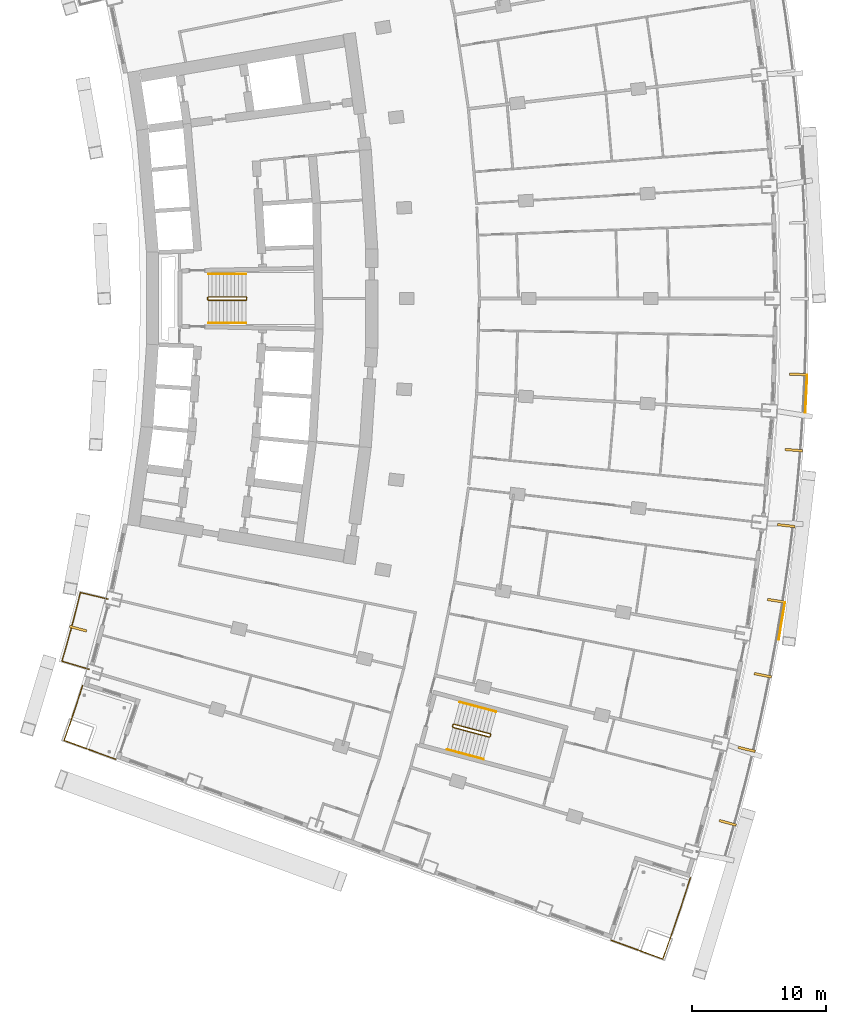
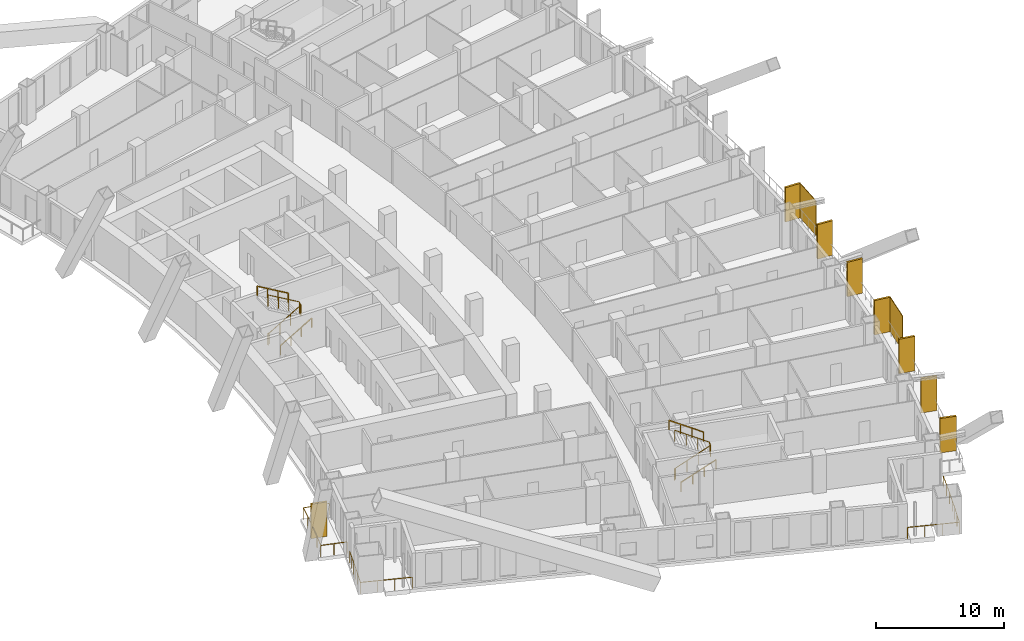
# One storey, part 23 of 25: 10 shading devices, 9 railings.
"""IFC4 building model written with IfcOpenShell, lengths in metres."""

from ifc_helpers import new_model, si_unit, direction, frame, origin, origin_with_axes, origin_2d, place, context, subcontext, project, spatial, rectangle, extrude, material, layer, layer_set, type_object, element, save


model = new_model("IFC4")

# Units and contexts
model_context = context("Model", 3, precision=1e-05, world=origin(), true_north=direction((0.0, 1.0)))
body_context = subcontext(model_context, "Body", "Model", "MODEL_VIEW")
ifc_project = project(units=[si_unit("LENGTHUNIT", "METRE"), si_unit("AREAUNIT", "SQUARE_METRE"), si_unit("VOLUMEUNIT", "CUBIC_METRE"), si_unit("PLANEANGLEUNIT", "RADIAN"), si_unit("MASSUNIT", "GRAM", prefix="KILO")], contexts=[model_context])

# Site, building, storey
site_placement = place(None, origin())
site = spatial("IfcSite", under=ifc_project, at=site_placement, CompositionType="ELEMENT")
building_placement = place(site_placement, origin())
building = spatial("IfcBuilding", under=site, at=building_placement, Name="Alderwake Tower", CompositionType="ELEMENT")
storey_placement = place(building_placement, frame((0.0, 0.0, 42.800048828125)))
storey = spatial("IfcBuildingStorey", under=building, at=storey_placement, Name="L09", CompositionType="ELEMENT", Elevation=42.800048828125)

# Railings
ifc_material_1 = material(Name="Stainless steel 316 rail and posts", Category="steel")
railing_type_1 = type_object("IfcRailingType", Name="Balcony guard 1100", PredefinedType="GUARDRAIL", material=ifc_material_1)
railing_1_placement = place(storey_placement, frame((12.16650390625, 33.435791015625, 0.0)))
element("IfcRailing", 1, at=railing_1_placement, inside=storey, type_object=railing_type_1, Name="Guard BR02", PredefinedType="GUARDRAIL", context=body_context, shape_type="SweptSolid", body=[
    extrude(rectangle(XDim=0.048095703125, YDim=0.048095703125, at=origin_2d()), frame((0.0, 0.0, 1.076171875), z_axis=(-0.958091458885, 0.286462486918, 0.0), x_axis=(-0.286462486918, -0.958091458885, 0.0)), (0.0, 0.0, 1.0), 2.099853515625),
    extrude(rectangle(XDim=0.048095703125, YDim=0.048095703125, at=origin_2d()), frame((-2.011962890625, 0.6015625, 1.076171875), z_axis=(0.279963157487, 0.960010744966, 0.0), x_axis=(-0.960010744966, 0.279963157487, 0.0)), (0.0, 0.0, 1.0), 1.272216796875),
    extrude(rectangle(XDim=0.048095703125, YDim=0.048095703125, at=origin_2d()), frame((-1.65576171875, 1.822998046875, 1.076171875), z_axis=(0.266487604617, 0.963838345671, 0.0), x_axis=(-0.963838345671, 0.266487604617, 0.0)), (0.0, 0.0, 1.0), 1.372314453125),
    extrude(rectangle(XDim=0.048095703125, YDim=0.048095703125, at=origin_2d()), frame((-1.2900390625, 3.145751953125, 1.076171875), z_axis=(0.252487086228, 0.967600264204, 0.0), x_axis=(-0.967600264204, 0.252487086228, 0.0)), (0.0, 0.0, 1.0), 1.3720703125),
    extrude(rectangle(XDim=0.048095703125, YDim=0.048095703125, at=origin_2d()), frame((-0.943603515625, 4.473388671875, 1.076171875), z_axis=(0.238877101641, 0.971049808358, 0.0), x_axis=(-0.971049808358, 0.238877101641, 0.0)), (0.0, 0.0, 1.0), 1.2724609375),
    extrude(rectangle(XDim=0.048095703125, YDim=0.048095703125, at=origin_2d()), frame((-0.6396484375, 5.708984375, 1.076171875), z_axis=(0.972646310656, -0.232291098337, 0.0), x_axis=(0.232291098337, 0.972646310656, 0.0)), (0.0, 0.0, 1.0), 2.099853515625),
    extrude(rectangle(XDim=0.0419921875, YDim=0.0419921875, at=origin_2d()), frame((0.0, 0.0, 0.0), z_axis=(0.0, 0.0, 1.0), x_axis=(-0.958091458885, 0.286462486918, 0.0)), (0.0, 0.0, 1.0), 1.052001953125),
    extrude(rectangle(XDim=0.0419921875, YDim=0.0419921875, at=origin_2d()), frame((-1.005859375, 0.30078125, 0.0), z_axis=(0.0, 0.0, 1.0), x_axis=(-0.958091458885, 0.286462486918, 0.0)), (0.0, 0.0, 1.0), 1.052001953125),
    extrude(rectangle(XDim=0.0419921875, YDim=0.0419921875, at=origin_2d()), frame((-2.011962890625, 0.6015625, 0.0), z_axis=(0.0, 0.0, 1.0), x_axis=(0.279963157487, 0.960010744966, 0.0)), (0.0, 0.0, 1.0), 1.052001953125),
    extrude(rectangle(XDim=0.0419921875, YDim=0.0419921875, at=origin_2d()), frame((-1.65576171875, 1.822998046875, 0.0), z_axis=(0.0, 0.0, 1.0), x_axis=(0.266487604617, 0.963838345671, 0.0)), (0.0, 0.0, 1.0), 1.052001953125),
    extrude(rectangle(XDim=0.0419921875, YDim=0.0419921875, at=origin_2d()), frame((-1.2900390625, 3.145751953125, 0.0), z_axis=(0.0, 0.0, 1.0), x_axis=(0.252487086228, 0.967600264204, 0.0)), (0.0, 0.0, 1.0), 1.052001953125),
    extrude(rectangle(XDim=0.0419921875, YDim=0.0419921875, at=origin_2d()), frame((-0.943603515625, 4.473388671875, 0.0), z_axis=(0.0, 0.0, 1.0), x_axis=(0.238877101641, 0.971049808358, 0.0)), (0.0, 0.0, 1.0), 1.052001953125),
    extrude(rectangle(XDim=0.0419921875, YDim=0.0419921875, at=origin_2d()), frame((-0.6396484375, 5.708984375, 0.0), z_axis=(0.0, 0.0, 1.0), x_axis=(0.972646310656, -0.232291098337, 0.0)), (0.0, 0.0, 1.0), 1.052001953125),
    extrude(rectangle(XDim=0.0419921875, YDim=0.0419921875, at=origin_2d()), frame((0.381591796875, 5.465087890625, 0.0), z_axis=(0.0, 0.0, 1.0), x_axis=(0.972646310656, -0.232291098337, 0.0)), (0.0, 0.0, 1.0), 1.052001953125),
    extrude(rectangle(XDim=0.0419921875, YDim=0.0419921875, at=origin_2d()), frame((1.40283203125, 5.22119140625, 0.0), z_axis=(0.0, 0.0, 1.0), x_axis=(0.972646310656, -0.232291098337, 0.0)), (0.0, 0.0, 1.0), 1.052001953125),
])
railing_2_placement = place(storey_placement, frame((56.88330078125, 17.927490234375, 0.0)))
element("IfcRailing", 2, at=railing_2_placement, inside=storey, type_object=railing_type_1, Name="Guard terrace FS", PredefinedType="GUARDRAIL", context=body_context, shape_type="SweptSolid", body=[
    extrude(rectangle(XDim=0.048095703125, YDim=0.048095703125, at=origin_2d()), frame((0.0, 0.0, 1.076171875), z_axis=(-0.307845801485, -0.951436262977, 0.0), x_axis=(0.951436262977, -0.307845801485, 0.0)), (0.0, 0.0, 1.0), 2.292724609375),
    extrude(rectangle(XDim=0.048095703125, YDim=0.048095703125, at=origin_2d()), frame((-0.705810546875, -2.181396484375, 1.076171875), z_axis=(-0.322241552388, -0.946657478666, 0.0), x_axis=(0.946657478666, -0.322241552388, 0.0)), (0.0, 0.0, 1.0), 2.092529296875),
    extrude(rectangle(XDim=0.048095703125, YDim=0.048095703125, at=origin_2d()), frame((-1.380126953125, -4.162353515625, 1.076171875), z_axis=(-0.335715388467, -0.941963469539, 0.0), x_axis=(0.941963469539, -0.335715388467, 0.0)), (0.0, 0.0, 1.0), 1.99267578125),
    extrude(rectangle(XDim=0.048095703125, YDim=0.048095703125, at=origin_2d()), frame((-2.049072265625, -6.039306640625, 1.076171875), z_axis=(-0.939624669849, 0.342206779317, 0.0), x_axis=(-0.342206779317, -0.939624669849, 0.0)), (0.0, 0.0, 1.0), 4.10009765625),
    extrude(rectangle(XDim=0.0419921875, YDim=0.0419921875, at=origin_2d()), frame((0.0, 0.0, 0.0), z_axis=(0.0, 0.0, 1.0), x_axis=(-0.307845801485, -0.951436262977, 0.0)), (0.0, 0.0, 1.0), 1.052001953125),
    extrude(rectangle(XDim=0.0419921875, YDim=0.0419921875, at=origin_2d()), frame((-0.35302734375, -1.0908203125, 0.0), z_axis=(0.0, 0.0, 1.0), x_axis=(-0.307845801485, -0.951436262977, 0.0)), (0.0, 0.0, 1.0), 1.052001953125),
    extrude(rectangle(XDim=0.0419921875, YDim=0.0419921875, at=origin_2d()), frame((-0.705810546875, -2.181396484375, 0.0), z_axis=(0.0, 0.0, 1.0), x_axis=(-0.322241552388, -0.946657478666, 0.0)), (0.0, 0.0, 1.0), 1.052001953125),
    extrude(rectangle(XDim=0.0419921875, YDim=0.0419921875, at=origin_2d()), frame((-1.04296875, -3.171875, 0.0), z_axis=(0.0, 0.0, 1.0), x_axis=(-0.322241552388, -0.946657478666, 0.0)), (0.0, 0.0, 1.0), 1.052001953125),
    extrude(rectangle(XDim=0.0419921875, YDim=0.0419921875, at=origin_2d()), frame((-1.380126953125, -4.162353515625, 0.0), z_axis=(0.0, 0.0, 1.0), x_axis=(-0.335715388467, -0.941963469539, 0.0)), (0.0, 0.0, 1.0), 1.052001953125),
    extrude(rectangle(XDim=0.0419921875, YDim=0.0419921875, at=origin_2d()), frame((-1.714599609375, -5.100830078125, 0.0), z_axis=(0.0, 0.0, 1.0), x_axis=(-0.335715388467, -0.941963469539, 0.0)), (0.0, 0.0, 1.0), 1.052001953125),
    extrude(rectangle(XDim=0.0419921875, YDim=0.0419921875, at=origin_2d()), frame((-2.049072265625, -6.039306640625, 0.0), z_axis=(0.0, 0.0, 1.0), x_axis=(-0.939624669849, 0.342206779317, 0.0)), (0.0, 0.0, 1.0), 1.052001953125),
    extrude(rectangle(XDim=0.0419921875, YDim=0.0419921875, at=origin_2d()), frame((-3.333251953125, -5.571533203125, 0.0), z_axis=(0.0, 0.0, 1.0), x_axis=(-0.939624669849, 0.342206779317, 0.0)), (0.0, 0.0, 1.0), 1.052001953125),
    extrude(rectangle(XDim=0.0419921875, YDim=0.0419921875, at=origin_2d()), frame((-4.617431640625, -5.10400390625, 0.0), z_axis=(0.0, 0.0, 1.0), x_axis=(-0.939624669849, 0.342206779317, 0.0)), (0.0, 0.0, 1.0), 1.052001953125),
    extrude(rectangle(XDim=0.0419921875, YDim=0.0419921875, at=origin_2d()), frame((-5.901611328125, -4.63623046875, 0.0), z_axis=(0.0, 0.0, 1.0), x_axis=(-0.939624669849, 0.342206779317, 0.0)), (0.0, 0.0, 1.0), 1.052001953125),
])
railing_3_placement = place(storey_placement, frame((11.688720703125, 32.218017578125, 0.0)))
element("IfcRailing", 3, at=railing_3_placement, inside=storey, type_object=railing_type_1, Name="Guard terrace RS", PredefinedType="GUARDRAIL", context=body_context, shape_type="SweptSolid", body=[
    extrude(rectangle(XDim=0.048095703125, YDim=0.048095703125, at=origin_2d()), frame((0.0, 0.0, 1.076171875), z_axis=(-0.307479326145, -0.951554761426, 0.0), x_axis=(0.951554761426, -0.307479326145, 0.0)), (0.0, 0.0, 1.0), 1.6015625),
    extrude(rectangle(XDim=0.048095703125, YDim=0.048095703125, at=origin_2d()), frame((-0.492431640625, -1.52392578125, 1.076171875), z_axis=(-0.322283727344, -0.946643121292, 0.0), x_axis=(0.946643121292, -0.322283727344, 0.0)), (0.0, 0.0, 1.0), 1.4013671875),
    extrude(rectangle(XDim=0.048095703125, YDim=0.048095703125, at=origin_2d()), frame((-0.944091796875, -2.8505859375, 1.076171875), z_axis=(-0.335468607403, -0.942051385778, 0.0), x_axis=(0.942051385778, -0.335468607403, 0.0)), (0.0, 0.0, 1.0), 1.30126953125),
    extrude(rectangle(XDim=0.048095703125, YDim=0.048095703125, at=origin_2d()), frame((-1.380615234375, -4.076416015625, 1.076171875), z_axis=(0.939708203232, -0.341977327873, 0.0), x_axis=(0.341977327873, 0.939708203232, 0.0)), (0.0, 0.0, 1.0), 4.10009765625),
    extrude(rectangle(XDim=0.0419921875, YDim=0.0419921875, at=origin_2d()), frame((0.0, 0.0, 0.0), z_axis=(0.0, 0.0, 1.0), x_axis=(-0.307479326145, -0.951554761426, 0.0)), (0.0, 0.0, 1.0), 1.052001953125),
    extrude(rectangle(XDim=0.0419921875, YDim=0.0419921875, at=origin_2d()), frame((-0.24609375, -0.761962890625, 0.0), z_axis=(0.0, 0.0, 1.0), x_axis=(-0.307479326145, -0.951554761426, 0.0)), (0.0, 0.0, 1.0), 1.052001953125),
    extrude(rectangle(XDim=0.0419921875, YDim=0.0419921875, at=origin_2d()), frame((-0.492431640625, -1.52392578125, 0.0), z_axis=(0.0, 0.0, 1.0), x_axis=(-0.322283727344, -0.946643121292, 0.0)), (0.0, 0.0, 1.0), 1.052001953125),
    extrude(rectangle(XDim=0.0419921875, YDim=0.0419921875, at=origin_2d()), frame((-0.71826171875, -2.187255859375, 0.0), z_axis=(0.0, 0.0, 1.0), x_axis=(-0.322283727344, -0.946643121292, 0.0)), (0.0, 0.0, 1.0), 1.052001953125),
    extrude(rectangle(XDim=0.0419921875, YDim=0.0419921875, at=origin_2d()), frame((-0.944091796875, -2.8505859375, 0.0), z_axis=(0.0, 0.0, 1.0), x_axis=(-0.335468607403, -0.942051385778, 0.0)), (0.0, 0.0, 1.0), 1.052001953125),
    extrude(rectangle(XDim=0.0419921875, YDim=0.0419921875, at=origin_2d()), frame((-1.380615234375, -4.076416015625, 0.0), z_axis=(0.0, 0.0, 1.0), x_axis=(0.939708203232, -0.341977327873, 0.0)), (0.0, 0.0, 1.0), 1.052001953125),
    extrude(rectangle(XDim=0.0419921875, YDim=0.0419921875, at=origin_2d()), frame((-0.096435546875, -4.543701171875, 0.0), z_axis=(0.0, 0.0, 1.0), x_axis=(0.939708203232, -0.341977327873, 0.0)), (0.0, 0.0, 1.0), 1.052001953125),
    extrude(rectangle(XDim=0.0419921875, YDim=0.0419921875, at=origin_2d()), frame((1.18798828125, -5.01123046875, 0.0), z_axis=(0.0, 0.0, 1.0), x_axis=(0.939708203232, -0.341977327873, 0.0)), (0.0, 0.0, 1.0), 1.052001953125),
    extrude(rectangle(XDim=0.0419921875, YDim=0.0419921875, at=origin_2d()), frame((2.47216796875, -5.478515625, 0.0), z_axis=(0.0, 0.0, 1.0), x_axis=(0.939708203232, -0.341977327873, 0.0)), (0.0, 0.0, 1.0), 1.052001953125),
])

# Shading devices
ifc_material_2 = material(Name="Bronze anodised aluminium", Category="aluminium")
ifc_layer_1 = layer(ifc_material_2, 0.179931640625)
ifc_layer_set_1 = layer_set([ifc_layer_1], Name="Facade fin 1300")
shading_device_type_1 = type_object("IfcShadingDeviceType", Name="Facade fin 1300", PredefinedType="USERDEFINED", material=ifc_layer_set_1)
for number, where, z_axis, x_axis, name in (
    (4, (59.661376953125, 22.0166015625, 0.0), (0.0, 0.0, 1.0), (0.96318180783, -0.268850897459, 0.0), "Fin"),
    (5, (61.07177734375, 27.4775390625, 0.0), (0.0, 0.0, 1.0), (0.972908790564, -0.231189284448, 0.0), "Fin"),
    (6, (62.268798828125, 32.9892578125, 0.0), (0.0, 0.0, 1.0), (0.981163751315, -0.193177879441, 0.0), "Fin"),
    (7, (63.248291015625, 38.52880859375, 0.0), (0.0, 0.0, 1.0), (0.987918787879, -0.154972476771, 0.0), "Fin"),
    (8, (64.013916015625, 44.116943359375, 0.0), (0.0, 0.0, 1.0), (0.993198315083, -0.116434990084, 0.0), "Fin"),
    (9, (64.561279296875, 49.73046875, 0.0), (0.0, 0.0, 1.0), (0.996975122026, -0.077721335943, 0.0), "Fin"),
    (10, (64.890380859375, 55.36083984375, 0.0), (0.0, 0.0, 1.0), (0.999243494356, -0.038890088543, 0.0), "Fin"),
    (11, (11.359375, 36.45166015625, 0.0), (0.0, 0.0, 1.0), (0.965744448231, -0.259495010957, 0.0), "Fin"),
):
    element("IfcShadingDevice", number, at=place(storey_placement, frame(where, z_axis=z_axis, x_axis=x_axis)), inside=storey, type_object=shading_device_type_1, Name=name, ObjectType="FIN", PredefinedType="USERDEFINED", context=body_context, shape_type="SweptSolid", body=[
        extrude(rectangle(XDim=1.300048828125, YDim=0.179931640625, at=origin_2d()), origin(), (0.0, 0.0, 1.0), 3.280029296875),
    ])
ifc_material_3 = material(Name="Perforated bronze anodised aluminium", Category="aluminium")
ifc_layer_2 = layer(ifc_material_3, 0.050048828125)
ifc_layer_set_2 = layer_set([ifc_layer_2], Name="Perforated screen panel")
shading_device_type_2 = type_object("IfcShadingDeviceType", Name="Perforated screen panel", PredefinedType="USERDEFINED", material=ifc_layer_set_2)
for number, where, z_axis, x_axis, name in (
    (12, (63.6826171875, 37.030517578125, 0.0), (0.0, 0.0, 1.0), (0.986369013299, -0.164548380739, 0.0), "Screen panel"),
    (13, (65.49609375, 53.92333984375, 0.0), (0.0, 0.0, 1.0), (0.998819231138, -0.048581308217, 0.0), "Screen panel"),
):
    element("IfcShadingDevice", number, at=place(storey_placement, frame(where, z_axis=z_axis, x_axis=x_axis)), inside=storey, type_object=shading_device_type_2, Name=name, ObjectType="SCREEN", PredefinedType="USERDEFINED", context=body_context, shape_type="SweptSolid", body=[
        extrude(rectangle(XDim=0.050048828125, YDim=2.826171875, at=origin_2d()), origin(), (0.0, 0.0, 1.0), 3.280029296875),
    ])

# Railings
ifc_material_4 = material(Name="Stainless steel guard", Category="steel")
railing_type_2 = type_object("IfcRailingType", Name="Stair guard 1100", PredefinedType="GUARDRAIL", material=ifc_material_4)
railing_4_placement = place(storey_placement, frame((20.989990234375, 60.925048828125, 0.0)))
element("IfcRailing", 14, at=railing_4_placement, inside=storey, type_object=railing_type_2, Name="L09 ST-B stair guard 1", PredefinedType="GUARDRAIL", context=body_context, shape_type="SweptSolid", body=[
    extrude(rectangle(XDim=0.048095703125, YDim=0.048095703125, at=origin_2d()), frame((0.0, 0.0, 1.076171875), z_axis=(0.0, 1.0, 0.0), x_axis=(-1.0, 0.0, 0.0)), (0.0, 0.0, 1.0), 0.14990234375),
    extrude(rectangle(XDim=0.048095703125, YDim=0.048095703125, at=origin_2d()), frame((0.0, 0.14990234375, 1.076171875), z_axis=(0.190199549216, -0.759870394187, 0.621627795), x_axis=(0.970072785993, 0.242814311512, 0.0)), (0.0, 0.0, 1.0), 0.26318359375),
    extrude(rectangle(XDim=0.048095703125, YDim=0.048095703125, at=origin_2d()), frame((0.050048828125, -0.050048828125, 1.23974609375), z_axis=(0.863360870873, 0.0, 0.504586966384), x_axis=(0.0, 1.0, 0.0)), (0.0, 0.0, 1.0), 3.2431640625),
    extrude(rectangle(XDim=0.048095703125, YDim=0.048095703125, at=origin_2d()), frame((2.85009765625, -0.050048828125, 2.8759765625), z_axis=(0.705375805398, 0.708833529934, 0.0), x_axis=(-0.708833529934, 0.705375805398, 0.0)), (0.0, 0.0, 1.0), 0.070556640625),
    extrude(rectangle(XDim=0.048095703125, YDim=0.048095703125, at=origin_2d()), frame((2.89990234375, 0.0, 2.8759765625), z_axis=(0.0, 1.0, 0.0), x_axis=(-1.0, 0.0, 0.0)), (0.0, 0.0, 1.0), 0.14990234375),
    extrude(rectangle(XDim=0.048095703125, YDim=0.048095703125, at=origin_2d()), frame((2.89990234375, 0.14990234375, 2.8759765625), z_axis=(-0.279546231943, 0.280916556609, 0.91811752648), x_axis=(-0.708833529934, -0.705375805398, 0.0)), (0.0, 0.0, 1.0), 0.17822265625),
    extrude(rectangle(XDim=0.048095703125, YDim=0.048095703125, at=origin_2d()), frame((2.85009765625, 0.199951171875, 3.03955078125), z_axis=(-0.863393664356, 0.0, 0.504530851732), x_axis=(0.0, -1.0, 0.0)), (0.0, 0.0, 1.0), 3.2431640625),
    extrude(rectangle(XDim=0.0419921875, YDim=0.0419921875, at=origin_2d()), frame((0.0, 0.0, 0.0), z_axis=(0.0, 0.0, 1.0), x_axis=(0.0, 1.0, 0.0)), (0.0, 0.0, 1.0), 1.052001953125),
    extrude(rectangle(XDim=0.0419921875, YDim=0.0419921875, at=origin_2d()), frame((0.0, 0.14990234375, 0.0), z_axis=(0.0, 0.0, 1.0), x_axis=(0.242814311512, -0.970072785993, 0.0)), (0.0, 0.0, 1.0), 1.052001953125),
    extrude(rectangle(XDim=0.0419921875, YDim=0.0419921875, at=origin_2d()), frame((0.050048828125, -0.050048828125, 0.16357421875), z_axis=(0.0, 0.0, 1.0), x_axis=(1.0, 0.0, 0.0)), (0.0, 0.0, 1.0), 1.052001953125),
    extrude(rectangle(XDim=0.0419921875, YDim=0.0419921875, at=origin_2d()), frame((0.9833984375, -0.050048828125, 0.708984375), z_axis=(0.0, 0.0, 1.0), x_axis=(1.0, 0.0, 0.0)), (0.0, 0.0, 1.0), 1.052001953125),
    extrude(rectangle(XDim=0.0419921875, YDim=0.0419921875, at=origin_2d()), frame((1.916748046875, -0.050048828125, 1.254638671875), z_axis=(0.0, 0.0, 1.0), x_axis=(1.0, 0.0, 0.0)), (0.0, 0.0, 1.0), 1.052001953125),
    extrude(rectangle(XDim=0.0419921875, YDim=0.0419921875, at=origin_2d()), frame((2.85009765625, -0.050048828125, 1.800048828125), z_axis=(0.0, 0.0, 1.0), x_axis=(0.705375805398, 0.708833529934, 0.0)), (0.0, 0.0, 1.0), 1.052001953125),
    extrude(rectangle(XDim=0.0419921875, YDim=0.0419921875, at=origin_2d()), frame((2.89990234375, 0.0, 1.800048828125), z_axis=(0.0, 0.0, 1.0), x_axis=(0.0, 1.0, 0.0)), (0.0, 0.0, 1.0), 1.052001953125),
    extrude(rectangle(XDim=0.0419921875, YDim=0.0419921875, at=origin_2d()), frame((2.89990234375, 0.14990234375, 1.800048828125), z_axis=(0.0, 0.0, 1.0), x_axis=(-0.705375805398, 0.708833529934, 0.0)), (0.0, 0.0, 1.0), 1.052001953125),
    extrude(rectangle(XDim=0.0419921875, YDim=0.0419921875, at=origin_2d()), frame((2.85009765625, 0.199951171875, 1.963623046875), z_axis=(0.0, 0.0, 1.0), x_axis=(-1.0, 0.0, 0.0)), (0.0, 0.0, 1.0), 1.052001953125),
    extrude(rectangle(XDim=0.0419921875, YDim=0.0419921875, at=origin_2d()), frame((1.916748046875, 0.199951171875, 2.509033203125), z_axis=(0.0, 0.0, 1.0), x_axis=(-1.0, 0.0, 0.0)), (0.0, 0.0, 1.0), 1.052001953125),
    extrude(rectangle(XDim=0.0419921875, YDim=0.0419921875, at=origin_2d()), frame((0.9833984375, 0.199951171875, 3.054443359375), z_axis=(0.0, 0.0, 1.0), x_axis=(-1.0, 0.0, 0.0)), (0.0, 0.0, 1.0), 1.052001953125),
    extrude(rectangle(XDim=0.0419921875, YDim=0.0419921875, at=origin_2d()), frame((0.050048828125, 0.199951171875, 3.599853515625), z_axis=(0.0, 0.0, 1.0), x_axis=(-1.0, 0.0, 0.0)), (0.0, 0.0, 1.0), 1.052001953125),
])
railing_5_placement = place(storey_placement, frame((39.1943359375, 29.17431640625, 0.0)))
element("IfcRailing", 15, at=railing_5_placement, inside=storey, type_object=railing_type_2, Name="L09 ST-C stair guard 1", PredefinedType="GUARDRAIL", context=body_context, shape_type="SweptSolid", body=[
    extrude(rectangle(XDim=0.048095703125, YDim=0.048095703125, at=origin_2d()), frame((0.0, 0.0, 1.076171875), z_axis=(0.257459803502, 0.966289009345, 0.0), x_axis=(-0.966289009345, 0.257459803502, 0.0)), (0.0, 0.0, 1.0), 0.14990234375),
    extrude(rectangle(XDim=0.048095703125, YDim=0.048095703125, at=origin_2d()), frame((0.03857421875, 0.144775390625, 1.076171875), z_axis=(-0.012062893862, -0.783160186125, 0.621702991355), x_axis=(0.999881397308, -0.015401016783, 0.0)), (0.0, 0.0, 1.0), 0.26318359375),
    extrude(rectangle(XDim=0.048095703125, YDim=0.048095703125, at=origin_2d()), frame((0.035400390625, -0.061279296875, 1.23974609375), z_axis=(0.834281824786, -0.222214197128, 0.504573768072), x_axis=(0.257380452725, 0.966310148221, 0.0)), (0.0, 0.0, 1.0), 3.2431640625),
    extrude(rectangle(XDim=0.048095703125, YDim=0.048095703125, at=origin_2d()), frame((2.7412109375, -0.781982421875, 2.8759765625), z_axis=(0.865031189262, 0.501718089772, 0.0), x_axis=(-0.501718089772, 0.865031189262, 0.0)), (0.0, 0.0, 1.0), 0.070556640625),
    extrude(rectangle(XDim=0.048095703125, YDim=0.048095703125, at=origin_2d()), frame((2.80224609375, -0.74658203125, 2.8759765625), z_axis=(0.257055032184, 0.966396766566, 0.0), x_axis=(-0.966396766566, 0.257055032184, 0.0)), (0.0, 0.0, 1.0), 0.150146484375),
    extrude(rectangle(XDim=0.048095703125, YDim=0.048095703125, at=origin_2d()), frame((2.8408203125, -0.6015625, 2.8759765625), z_axis=(-0.198625291617, 0.343827228937, 0.91778583023), x_axis=(-0.865898279276, -0.500220121494, 0.0)), (0.0, 0.0, 1.0), 0.17822265625),
    extrude(rectangle(XDim=0.048095703125, YDim=0.048095703125, at=origin_2d()), frame((2.805419921875, -0.540283203125, 3.03955078125), z_axis=(-0.834290631165, 0.222236594766, 0.504549342183), x_axis=(-0.257402139082, -0.966304371715, 0.0)), (0.0, 0.0, 1.0), 3.242919921875),
    extrude(rectangle(XDim=0.0419921875, YDim=0.0419921875, at=origin_2d()), frame((0.0, 0.0, 0.0), z_axis=(0.0, 0.0, 1.0), x_axis=(0.257459803502, 0.966289009345, 0.0)), (0.0, 0.0, 1.0), 1.052001953125),
    extrude(rectangle(XDim=0.0419921875, YDim=0.0419921875, at=origin_2d()), frame((0.03857421875, 0.144775390625, 0.0), z_axis=(0.0, 0.0, 1.0), x_axis=(-0.015401016783, -0.999881397308, 0.0)), (0.0, 0.0, 1.0), 1.052001953125),
    extrude(rectangle(XDim=0.0419921875, YDim=0.0419921875, at=origin_2d()), frame((0.035400390625, -0.061279296875, 0.16357421875), z_axis=(0.0, 0.0, 1.0), x_axis=(0.966310148221, -0.257380452725, 0.0)), (0.0, 0.0, 1.0), 1.052001953125),
    extrude(rectangle(XDim=0.0419921875, YDim=0.0419921875, at=origin_2d()), frame((0.937255859375, -0.301513671875, 0.708984375), z_axis=(0.0, 0.0, 1.0), x_axis=(0.966310148221, -0.257380452725, 0.0)), (0.0, 0.0, 1.0), 1.052001953125),
    extrude(rectangle(XDim=0.0419921875, YDim=0.0419921875, at=origin_2d()), frame((1.83935546875, -0.541748046875, 1.254638671875), z_axis=(0.0, 0.0, 1.0), x_axis=(0.966310148221, -0.257380452725, 0.0)), (0.0, 0.0, 1.0), 1.052001953125),
    extrude(rectangle(XDim=0.0419921875, YDim=0.0419921875, at=origin_2d()), frame((2.7412109375, -0.781982421875, 1.800048828125), z_axis=(0.0, 0.0, 1.0), x_axis=(0.865031189262, 0.501718089772, 0.0)), (0.0, 0.0, 1.0), 1.052001953125),
    extrude(rectangle(XDim=0.0419921875, YDim=0.0419921875, at=origin_2d()), frame((2.80224609375, -0.74658203125, 1.800048828125), z_axis=(0.0, 0.0, 1.0), x_axis=(0.257055032184, 0.966396766566, 0.0)), (0.0, 0.0, 1.0), 1.052001953125),
    extrude(rectangle(XDim=0.0419921875, YDim=0.0419921875, at=origin_2d()), frame((2.8408203125, -0.6015625, 1.800048828125), z_axis=(0.0, 0.0, 1.0), x_axis=(-0.500220121494, 0.865898279276, 0.0)), (0.0, 0.0, 1.0), 1.052001953125),
    extrude(rectangle(XDim=0.0419921875, YDim=0.0419921875, at=origin_2d()), frame((2.805419921875, -0.540283203125, 1.963623046875), z_axis=(0.0, 0.0, 1.0), x_axis=(-0.966304371715, 0.257402139082, 0.0)), (0.0, 0.0, 1.0), 1.052001953125),
    extrude(rectangle(XDim=0.0419921875, YDim=0.0419921875, at=origin_2d()), frame((1.903564453125, -0.300048828125, 2.509033203125), z_axis=(0.0, 0.0, 1.0), x_axis=(-0.966304371715, 0.257402139082, 0.0)), (0.0, 0.0, 1.0), 1.052001953125),
    extrude(rectangle(XDim=0.0419921875, YDim=0.0419921875, at=origin_2d()), frame((1.001708984375, -0.059814453125, 3.054443359375), z_axis=(0.0, 0.0, 1.0), x_axis=(-0.966304371715, 0.257402139082, 0.0)), (0.0, 0.0, 1.0), 1.052001953125),
    extrude(rectangle(XDim=0.0419921875, YDim=0.0419921875, at=origin_2d()), frame((0.099853515625, 0.180419921875, 3.599853515625), z_axis=(0.0, 0.0, 1.0), x_axis=(-0.966304371715, 0.257402139082, 0.0)), (0.0, 0.0, 1.0), 1.052001953125),
])
ifc_material_5 = material(Name="Stainless steel handrail", Category="steel")
railing_type_3 = type_object("IfcRailingType", Name="Stair handrail 900", PredefinedType="HANDRAIL", material=ifc_material_5)
railing_6_placement = place(storey_placement, frame((21.0400390625, 59.175048828125, 0.16357421875)))
element("IfcRailing", 16, at=railing_6_placement, inside=storey, type_object=railing_type_3, Name="L09 ST-B stair handrail 1", PredefinedType="HANDRAIL", context=body_context, shape_type="SweptSolid", body=[
    extrude(rectangle(XDim=0.048095703125, YDim=0.048095703125, at=origin_2d()), frame((0.0, 0.0, 0.8759765625), z_axis=(0.863360870873, 0.0, 0.504586966384), x_axis=(0.0, 1.0, 0.0)), (0.0, 0.0, 1.0), 3.2431640625),
    extrude(rectangle(XDim=0.0419921875, YDim=0.0419921875, at=origin_2d()), origin_with_axes(), (0.0, 0.0, 1.0), 0.851806640625),
    extrude(rectangle(XDim=0.0419921875, YDim=0.0419921875, at=origin_2d()), frame((0.933349609375, 0.0, 0.54541015625), z_axis=(0.0, 0.0, 1.0), x_axis=(1.0, 0.0, 0.0)), (0.0, 0.0, 1.0), 0.851806640625),
    extrude(rectangle(XDim=0.0419921875, YDim=0.0419921875, at=origin_2d()), frame((1.86669921875, 0.0, 1.091064453125), z_axis=(0.0, 0.0, 1.0), x_axis=(1.0, 0.0, 0.0)), (0.0, 0.0, 1.0), 0.851806640625),
    extrude(rectangle(XDim=0.0419921875, YDim=0.0419921875, at=origin_2d()), frame((2.800048828125, 0.0, 1.636474609375), z_axis=(0.0, 0.0, 1.0), x_axis=(1.0, 0.0, 0.0)), (0.0, 0.0, 1.0), 0.851806640625),
])
railing_7_placement = place(storey_placement, frame((23.840087890625, 62.824951171875, 1.963623046875)))
element("IfcRailing", 17, at=railing_7_placement, inside=storey, type_object=railing_type_3, Name="L09 ST-B stair handrail 2", PredefinedType="HANDRAIL", context=body_context, shape_type="SweptSolid", body=[
    extrude(rectangle(XDim=0.048095703125, YDim=0.048095703125, at=origin_2d()), frame((0.0, 0.0, 0.8759765625), z_axis=(-0.863393664356, 0.0, 0.504530851732), x_axis=(0.0, -1.0, 0.0)), (0.0, 0.0, 1.0), 3.2431640625),
    extrude(rectangle(XDim=0.0419921875, YDim=0.0419921875, at=origin_2d()), frame((0.0, 0.0, 0.0), z_axis=(0.0, 0.0, 1.0), x_axis=(-1.0, 0.0, 0.0)), (0.0, 0.0, 1.0), 0.851806640625),
    extrude(rectangle(XDim=0.0419921875, YDim=0.0419921875, at=origin_2d()), frame((-0.933349609375, 0.0, 0.54541015625), z_axis=(0.0, 0.0, 1.0), x_axis=(-1.0, 0.0, 0.0)), (0.0, 0.0, 1.0), 0.851806640625),
    extrude(rectangle(XDim=0.0419921875, YDim=0.0419921875, at=origin_2d()), frame((-1.86669921875, 0.0, 1.0908203125), z_axis=(0.0, 0.0, 1.0), x_axis=(-1.0, 0.0, 0.0)), (0.0, 0.0, 1.0), 0.851806640625),
    extrude(rectangle(XDim=0.0419921875, YDim=0.0419921875, at=origin_2d()), frame((-2.800048828125, 0.0, 1.63623046875), z_axis=(0.0, 0.0, 1.0), x_axis=(-1.0, 0.0, 0.0)), (0.0, 0.0, 1.0), 0.851806640625),
])
railing_8_placement = place(storey_placement, frame((38.792236328125, 27.47021484375, 0.16357421875)))
element("IfcRailing", 18, at=railing_8_placement, inside=storey, type_object=railing_type_3, Name="L09 ST-C stair handrail 1", PredefinedType="HANDRAIL", context=body_context, shape_type="SweptSolid", body=[
    extrude(rectangle(XDim=0.048095703125, YDim=0.048095703125, at=origin_2d()), frame((0.0, 0.0, 0.8759765625), z_axis=(0.834272895437, -0.222156588561, 0.504613898043), x_axis=(0.25732071773, 0.966326056891, 0.0)), (0.0, 0.0, 1.0), 3.242919921875),
    extrude(rectangle(XDim=0.0419921875, YDim=0.0419921875, at=origin_2d()), frame((0.0, 0.0, 0.0), z_axis=(0.0, 0.0, 1.0), x_axis=(0.966326056891, -0.25732071773, 0.0)), (0.0, 0.0, 1.0), 0.851806640625),
    extrude(rectangle(XDim=0.0419921875, YDim=0.0419921875, at=origin_2d()), frame((0.90185546875, -0.240234375, 0.54541015625), z_axis=(0.0, 0.0, 1.0), x_axis=(0.966326056891, -0.25732071773, 0.0)), (0.0, 0.0, 1.0), 0.851806640625),
    extrude(rectangle(XDim=0.0419921875, YDim=0.0419921875, at=origin_2d()), frame((1.8037109375, -0.480224609375, 1.091064453125), z_axis=(0.0, 0.0, 1.0), x_axis=(0.966326056891, -0.25732071773, 0.0)), (0.0, 0.0, 1.0), 0.851806640625),
    extrude(rectangle(XDim=0.0419921875, YDim=0.0419921875, at=origin_2d()), frame((2.70556640625, -0.720458984375, 1.636474609375), z_axis=(0.0, 0.0, 1.0), x_axis=(0.966326056891, -0.25732071773, 0.0)), (0.0, 0.0, 1.0), 0.851806640625),
])
railing_9_placement = place(storey_placement, frame((42.437255859375, 30.276611328125, 1.963623046875)))
element("IfcRailing", 19, at=railing_9_placement, inside=storey, type_object=railing_type_3, Name="L09 ST-C stair handrail 2", PredefinedType="HANDRAIL", context=body_context, shape_type="SweptSolid", body=[
    extrude(rectangle(XDim=0.048095703125, YDim=0.048095703125, at=origin_2d()), frame((0.0, 0.0, 0.8759765625), z_axis=(-0.834290631165, 0.222236594766, 0.504549342183), x_axis=(-0.257402139082, -0.966304371715, 0.0)), (0.0, 0.0, 1.0), 3.242919921875),
    extrude(rectangle(XDim=0.0419921875, YDim=0.0419921875, at=origin_2d()), frame((0.0, 0.0, 0.0), z_axis=(0.0, 0.0, 1.0), x_axis=(-0.966304371715, 0.257402139082, 0.0)), (0.0, 0.0, 1.0), 0.851806640625),
    extrude(rectangle(XDim=0.0419921875, YDim=0.0419921875, at=origin_2d()), frame((-0.90185546875, 0.240234375, 0.54541015625), z_axis=(0.0, 0.0, 1.0), x_axis=(-0.966304371715, 0.257402139082, 0.0)), (0.0, 0.0, 1.0), 0.851806640625),
    extrude(rectangle(XDim=0.0419921875, YDim=0.0419921875, at=origin_2d()), frame((-1.8037109375, 0.48046875, 1.0908203125), z_axis=(0.0, 0.0, 1.0), x_axis=(-0.966304371715, 0.257402139082, 0.0)), (0.0, 0.0, 1.0), 0.851806640625),
    extrude(rectangle(XDim=0.0419921875, YDim=0.0419921875, at=origin_2d()), frame((-2.70556640625, 0.720703125, 1.63623046875), z_axis=(0.0, 0.0, 1.0), x_axis=(-0.966304371715, 0.257402139082, 0.0)), (0.0, 0.0, 1.0), 0.851806640625),
])

save(model, "model.ifc")
